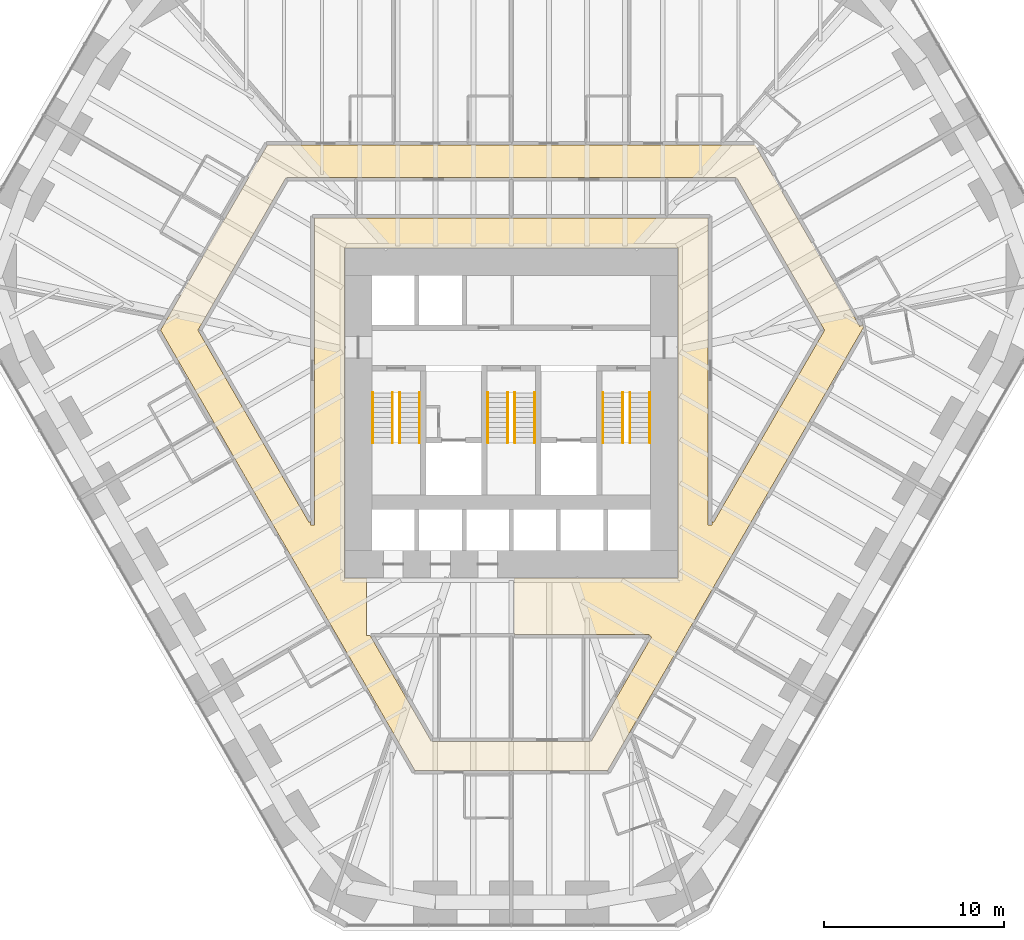
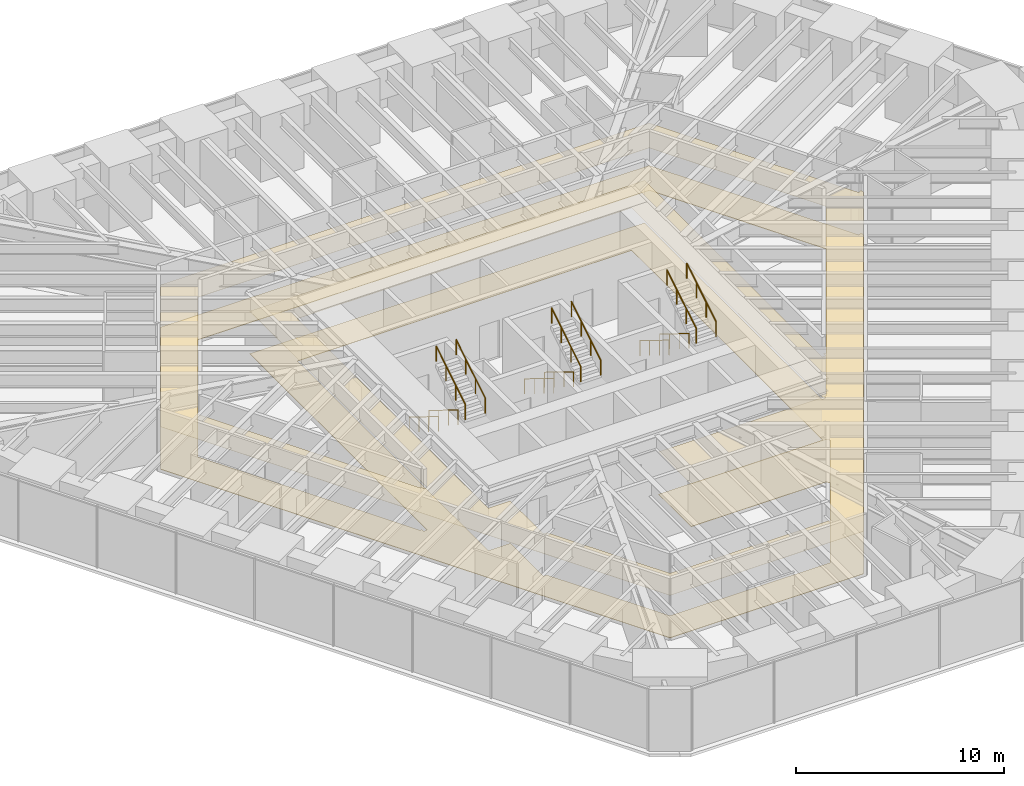
# One storey, part 17 of 17: 12 railings, 2 coverings.
"""IFC4 building model written with IfcOpenShell, lengths in metres."""

from ifc_helpers import new_model, si_unit, direction, frame, origin, origin_2d, place, context, subcontext, project, spatial, polyline, circle, outline, extrude, material, layer, layer_set, type_object, element, save


model = new_model("IFC4")

# Units and contexts
model_context = context("Model", 3, precision=1e-05, world=origin(), true_north=direction((0.0, 1.0)))
body_context = subcontext(model_context, "Body", "Model", "MODEL_VIEW")
ifc_project = project(units=[si_unit("LENGTHUNIT", "METRE"), si_unit("AREAUNIT", "SQUARE_METRE"), si_unit("VOLUMEUNIT", "CUBIC_METRE"), si_unit("PLANEANGLEUNIT", "RADIAN"), si_unit("MASSUNIT", "GRAM", prefix="KILO")], contexts=[model_context])

# Site, building, storey
site_placement = place(None, origin())
site = spatial("IfcSite", under=ifc_project, at=site_placement, CompositionType="ELEMENT")
building_placement = place(site_placement, origin())
building = spatial("IfcBuilding", under=site, at=building_placement, Name="Sandreach Pilgrim Tower", CompositionType="ELEMENT")
storey_placement = place(building_placement, frame((0.0, 0.0, 42.0)))
storey = spatial("IfcBuildingStorey", under=building, at=storey_placement, Name="L09", CompositionType="ELEMENT", Elevation=42.0)

# Covering
ifc_material_1 = material(Name="Gypsum board suspended ceiling on a steel grid", Category="steel")
ifc_layer_1 = layer(ifc_material_1, 0.012939453125)
ifc_layer_set_1 = layer_set([ifc_layer_1], Name="Gypsum board suspended ceiling")
covering_type_1 = type_object("IfcCoveringType", Name="Gypsum board suspended ceiling", PredefinedType="CEILING", material=ifc_layer_set_1)
covering_1_placement = place(storey_placement, frame((0.0, 0.0, 2.5)))
element("IfcCovering", 1, at=covering_1_placement, inside=storey, type_object=covering_type_1, Name="Ceiling 09C Corridor 09", PredefinedType="CEILING", context=body_context, shape_type="SweptSolid", body=[
    extrude(outline(polyline([(-19.49462890625, 3.06005859375), (-13.55224609375, 13.35009765625), (13.55224609375, 13.35009765625), (19.370849609375, 3.27392578125), (19.543212890625, 3.37353515625), (19.576171875, 3.20166015625), (5.3623046875, -21.409912109375), (-5.3623046875, -21.409912109375), (-19.49462890625, 3.06005859375)]), holes=[polyline([(-17.41552734375, 3.06005859375), (-11.24658203125, -7.61962890625), (-11.14990234375, -7.563720703125), (-11.14990234375, -7.760009765625), (-10.949951171875, -7.760009765625), (-10.949951171875, 9.300048828125), (10.949951171875, 9.300048828125), (10.949951171875, -7.760009765625), (11.14990234375, -7.760009765625), (11.14990234375, -7.563720703125), (11.24658203125, -7.61962890625), (17.41552734375, 3.06005859375), (12.517822265625, 11.550048828125), (-12.517822265625, 11.550048828125), (-17.41552734375, 3.06005859375)]), polyline([(-8.050048828125, -10.719970703125), (-8.050048828125, -13.89990234375), (-7.8544921875, -13.89990234375), (-4.437744140625, -19.81005859375), (4.437744140625, -19.81005859375), (7.796630859375, -14.0), (7.635009765625, -13.85009765625), (0.179931640625, -13.85009765625), (0.175048828125, -10.719970703125), (9.27001953125, -10.719970703125), (9.27001953125, 7.6201171875), (-9.27001953125, 7.6201171875), (-9.27001953125, -10.719970703125), (-8.050048828125, -10.719970703125)])]), origin(), (0.0, 0.0, 1.0), 0.012939453125),
])

# Railings
ifc_material_2 = material(Name="Stainless steel tube", Category="steel")
railing_type = type_object("IfcRailingType", Name="Stair handrail", PredefinedType="HANDRAIL", material=ifc_material_2)
for number, where, name in (
    (2, (-6.60009765625, -0.39990234375, 0.172607421875), "Handrail ST1 L09 flight 1"),
    (3, (-7.699951171875, -0.39990234375, 0.172607421875), "Handrail ST1 L09 flight 1"),
):
    element("IfcRailing", number, at=place(storey_placement, frame(where)), inside=storey, type_object=railing_type, Name=name, PredefinedType="HANDRAIL", context=body_context, shape_type="SweptSolid", body=[
        extrude(circle(Radius=0.02392578125, at=origin_2d()), frame((0.0, 0.0, 0.8759765625), z_axis=(0.0, -0.851089632645, 0.525020415988), x_axis=(1.0, 0.0, 0.0)), (0.0, 0.0, 1.0), 3.2900390625),
        extrude(circle(Radius=0.02099609375, at=origin_2d()), origin(), (0.0, 0.0, 1.0), 0.851806640625),
        extrude(circle(Radius=0.02099609375, at=origin_2d()), frame((0.0, -0.933349609375, 0.57568359375)), (0.0, 0.0, 1.0), 0.851806640625),
        extrude(circle(Radius=0.02099609375, at=origin_2d()), frame((0.0, -1.86669921875, 1.151611328125)), (0.0, 0.0, 1.0), 0.851806640625),
        extrude(circle(Radius=0.02099609375, at=origin_2d()), frame((0.0, -2.800048828125, 1.727294921875)), (0.0, 0.0, 1.0), 0.851806640625),
    ])
for number, where, name in (
    (4, (-6.199951171875, -3.199951171875, 2.07275390625), "Handrail ST1 L09 flight 2"),
    (5, (-5.10009765625, -3.199951171875, 2.07275390625), "Handrail ST1 L09 flight 2"),
):
    element("IfcRailing", number, at=place(storey_placement, frame(where)), inside=storey, type_object=railing_type, Name=name, PredefinedType="HANDRAIL", context=body_context, shape_type="SweptSolid", body=[
        extrude(circle(Radius=0.02392578125, at=origin_2d()), frame((0.0, 0.0, 0.8759765625), z_axis=(0.0, 0.851089632645, 0.525020415988), x_axis=(-1.0, 0.0, 0.0)), (0.0, 0.0, 1.0), 3.2900390625),
        extrude(circle(Radius=0.02099609375, at=origin_2d()), origin(), (0.0, 0.0, 1.0), 0.851806640625),
        extrude(circle(Radius=0.02099609375, at=origin_2d()), frame((0.0, 0.933349609375, 0.57568359375)), (0.0, 0.0, 1.0), 0.851806640625),
        extrude(circle(Radius=0.02099609375, at=origin_2d()), frame((0.0, 1.86669921875, 1.151611328125)), (0.0, 0.0, 1.0), 0.851806640625),
        extrude(circle(Radius=0.02099609375, at=origin_2d()), frame((0.0, 2.800048828125, 1.727294921875)), (0.0, 0.0, 1.0), 0.851806640625),
    ])
for number, where, name in (
    (6, (-0.199951171875, -0.39990234375, 0.172607421875), "Handrail ST3 L09 flight 1"),
    (7, (-1.300048828125, -0.39990234375, 0.172607421875), "Handrail ST3 L09 flight 1"),
):
    element("IfcRailing", number, at=place(storey_placement, frame(where)), inside=storey, type_object=railing_type, Name=name, PredefinedType="HANDRAIL", context=body_context, shape_type="SweptSolid", body=[
        extrude(circle(Radius=0.02392578125, at=origin_2d()), frame((0.0, 0.0, 0.8759765625), z_axis=(0.0, -0.851089632645, 0.525020415988), x_axis=(1.0, 0.0, 0.0)), (0.0, 0.0, 1.0), 3.2900390625),
        extrude(circle(Radius=0.02099609375, at=origin_2d()), origin(), (0.0, 0.0, 1.0), 0.851806640625),
        extrude(circle(Radius=0.02099609375, at=origin_2d()), frame((0.0, -0.933349609375, 0.57568359375)), (0.0, 0.0, 1.0), 0.851806640625),
        extrude(circle(Radius=0.02099609375, at=origin_2d()), frame((0.0, -1.86669921875, 1.151611328125)), (0.0, 0.0, 1.0), 0.851806640625),
        extrude(circle(Radius=0.02099609375, at=origin_2d()), frame((0.0, -2.800048828125, 1.727294921875)), (0.0, 0.0, 1.0), 0.851806640625),
    ])
for number, where, name in (
    (8, (0.199951171875, -3.199951171875, 2.07275390625), "Handrail ST3 L09 flight 2"),
    (9, (1.300048828125, -3.199951171875, 2.07275390625), "Handrail ST3 L09 flight 2"),
):
    element("IfcRailing", number, at=place(storey_placement, frame(where)), inside=storey, type_object=railing_type, Name=name, PredefinedType="HANDRAIL", context=body_context, shape_type="SweptSolid", body=[
        extrude(circle(Radius=0.02392578125, at=origin_2d()), frame((0.0, 0.0, 0.8759765625), z_axis=(0.0, 0.851089632645, 0.525020415988), x_axis=(-1.0, 0.0, 0.0)), (0.0, 0.0, 1.0), 3.2900390625),
        extrude(circle(Radius=0.02099609375, at=origin_2d()), origin(), (0.0, 0.0, 1.0), 0.851806640625),
        extrude(circle(Radius=0.02099609375, at=origin_2d()), frame((0.0, 0.933349609375, 0.57568359375)), (0.0, 0.0, 1.0), 0.851806640625),
        extrude(circle(Radius=0.02099609375, at=origin_2d()), frame((0.0, 1.86669921875, 1.151611328125)), (0.0, 0.0, 1.0), 0.851806640625),
        extrude(circle(Radius=0.02099609375, at=origin_2d()), frame((0.0, 2.800048828125, 1.727294921875)), (0.0, 0.0, 1.0), 0.851806640625),
    ])
for number, where, name in (
    (10, (6.199951171875, -0.39990234375, 0.172607421875), "Handrail ST2 L09 flight 1"),
    (11, (5.10009765625, -0.39990234375, 0.172607421875), "Handrail ST2 L09 flight 1"),
):
    element("IfcRailing", number, at=place(storey_placement, frame(where)), inside=storey, type_object=railing_type, Name=name, PredefinedType="HANDRAIL", context=body_context, shape_type="SweptSolid", body=[
        extrude(circle(Radius=0.02392578125, at=origin_2d()), frame((0.0, 0.0, 0.8759765625), z_axis=(0.0, -0.851089632645, 0.525020415988), x_axis=(1.0, 0.0, 0.0)), (0.0, 0.0, 1.0), 3.2900390625),
        extrude(circle(Radius=0.02099609375, at=origin_2d()), origin(), (0.0, 0.0, 1.0), 0.851806640625),
        extrude(circle(Radius=0.02099609375, at=origin_2d()), frame((0.0, -0.933349609375, 0.57568359375)), (0.0, 0.0, 1.0), 0.851806640625),
        extrude(circle(Radius=0.02099609375, at=origin_2d()), frame((0.0, -1.86669921875, 1.151611328125)), (0.0, 0.0, 1.0), 0.851806640625),
        extrude(circle(Radius=0.02099609375, at=origin_2d()), frame((0.0, -2.800048828125, 1.727294921875)), (0.0, 0.0, 1.0), 0.851806640625),
    ])
for number, where, name in (
    (12, (6.60009765625, -3.199951171875, 2.07275390625), "Handrail ST2 L09 flight 2"),
    (13, (7.699951171875, -3.199951171875, 2.07275390625), "Handrail ST2 L09 flight 2"),
):
    element("IfcRailing", number, at=place(storey_placement, frame(where)), inside=storey, type_object=railing_type, Name=name, PredefinedType="HANDRAIL", context=body_context, shape_type="SweptSolid", body=[
        extrude(circle(Radius=0.02392578125, at=origin_2d()), frame((0.0, 0.0, 0.8759765625), z_axis=(0.0, 0.851089632645, 0.525020415988), x_axis=(-1.0, 0.0, 0.0)), (0.0, 0.0, 1.0), 3.2900390625),
        extrude(circle(Radius=0.02099609375, at=origin_2d()), origin(), (0.0, 0.0, 1.0), 0.851806640625),
        extrude(circle(Radius=0.02099609375, at=origin_2d()), frame((0.0, 0.933349609375, 0.57568359375)), (0.0, 0.0, 1.0), 0.851806640625),
        extrude(circle(Radius=0.02099609375, at=origin_2d()), frame((0.0, 1.86669921875, 1.151611328125)), (0.0, 0.0, 1.0), 0.851806640625),
        extrude(circle(Radius=0.02099609375, at=origin_2d()), frame((0.0, 2.800048828125, 1.727294921875)), (0.0, 0.0, 1.0), 0.851806640625),
    ])

# Covering
ifc_material_3 = material(Name="Cement terrazzo, ground and polished", Category="terrazzo")
ifc_layer_2 = layer(ifc_material_3, 0.02490234375)
ifc_layer_set_2 = layer_set([ifc_layer_2], Name="Terrazzo")
covering_type_2 = type_object("IfcCoveringType", Name="Terrazzo", PredefinedType="FLOORING", material=ifc_layer_set_2)
covering_2_placement = place(storey_placement, origin())
element("IfcCovering", 14, at=covering_2_placement, inside=storey, type_object=covering_type_2, Name="Floor finish 09C Corridor 09", PredefinedType="FLOORING", context=body_context, shape_type="SweptSolid", body=[
    extrude(outline(polyline([(-19.49462890625, 3.06005859375), (-13.55224609375, 13.35009765625), (13.55224609375, 13.35009765625), (19.370849609375, 3.27392578125), (19.543212890625, 3.37353515625), (19.576171875, 3.20166015625), (5.3623046875, -21.409912109375), (-5.3623046875, -21.409912109375), (-19.49462890625, 3.06005859375)]), holes=[polyline([(-17.41552734375, 3.06005859375), (-11.24658203125, -7.61962890625), (-11.14990234375, -7.563720703125), (-11.14990234375, -7.760009765625), (-10.949951171875, -7.760009765625), (-10.949951171875, 9.300048828125), (10.949951171875, 9.300048828125), (10.949951171875, -7.760009765625), (11.14990234375, -7.760009765625), (11.14990234375, -7.563720703125), (11.24658203125, -7.61962890625), (17.41552734375, 3.06005859375), (12.517822265625, 11.550048828125), (-12.517822265625, 11.550048828125), (-17.41552734375, 3.06005859375)]), polyline([(-8.050048828125, -10.719970703125), (-8.050048828125, -13.89990234375), (-7.8544921875, -13.89990234375), (-4.437744140625, -19.81005859375), (4.437744140625, -19.81005859375), (7.796630859375, -14.0), (7.635009765625, -13.85009765625), (0.179931640625, -13.85009765625), (0.175048828125, -10.719970703125), (9.27001953125, -10.719970703125), (9.27001953125, 7.6201171875), (-9.27001953125, 7.6201171875), (-9.27001953125, -10.719970703125), (-8.050048828125, -10.719970703125)])]), origin(), (0.0, 0.0, 1.0), 0.02490234375),
])

save(model, "model.ifc")
